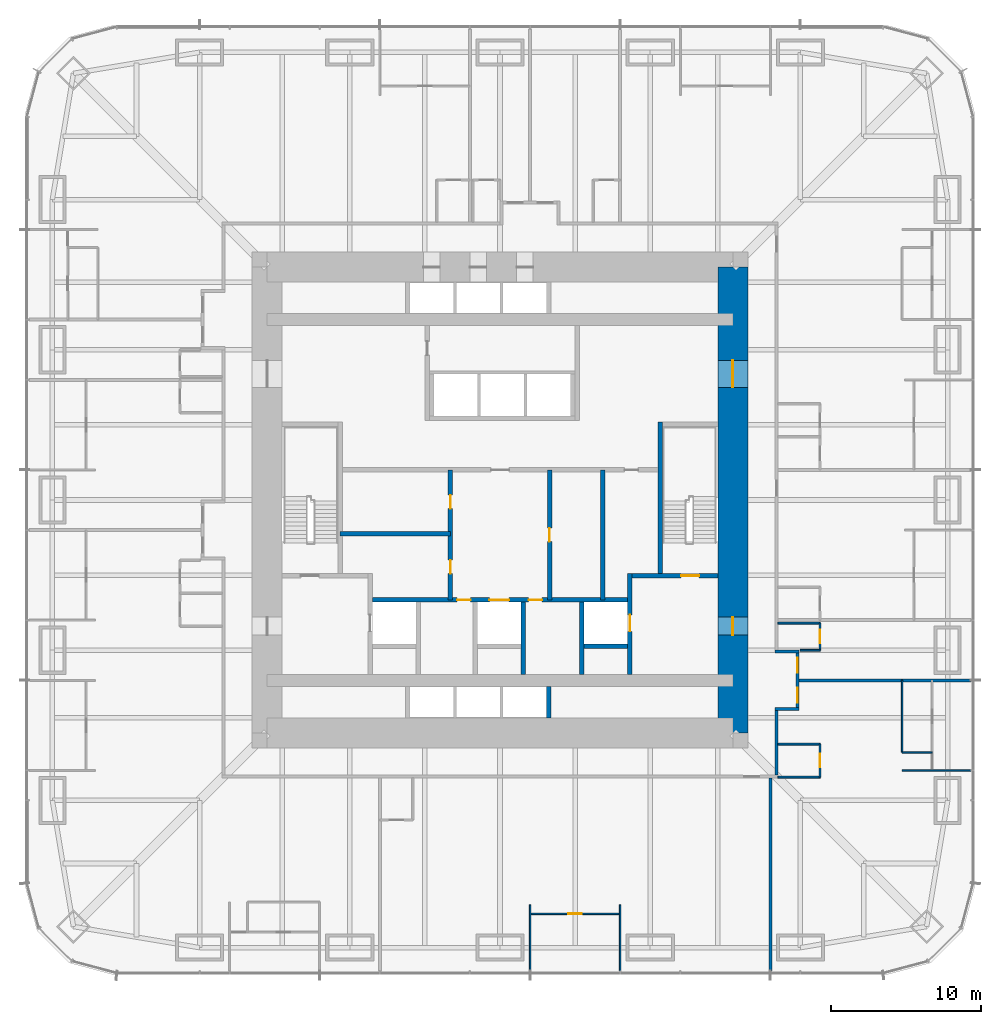
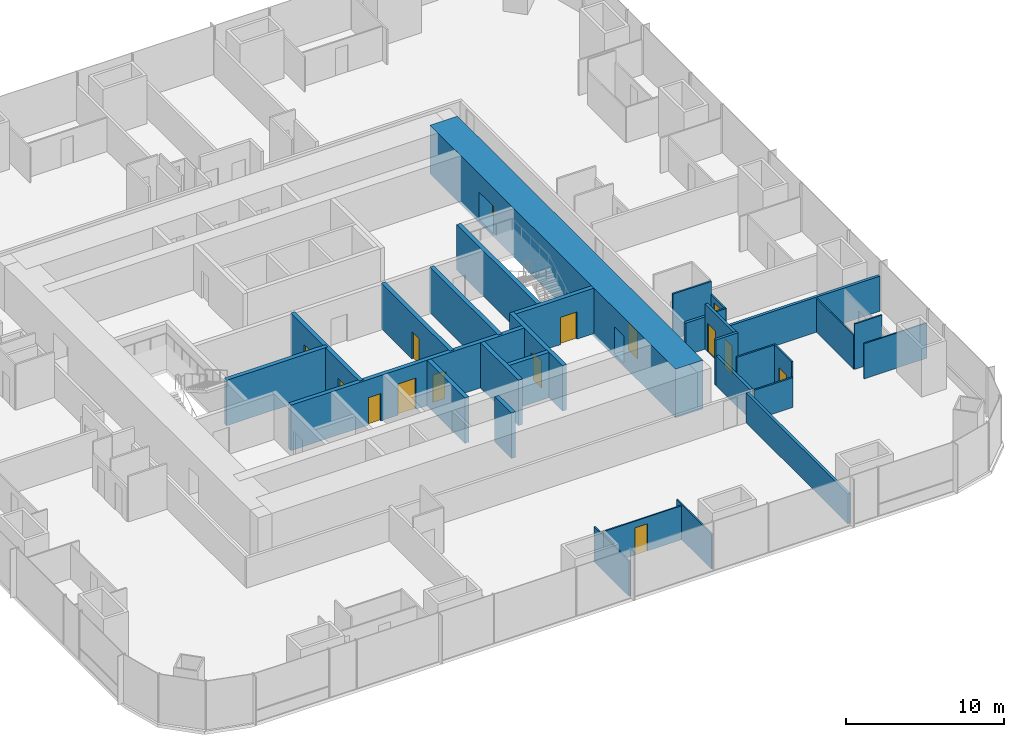
# One storey, part 13 of 17: 31 walls, 15 doors, 15 openings.
"""IFC4 building model written with IfcOpenShell, lengths in metres."""

from ifc_helpers import new_model, si_unit, direction, frame, frame_2d, origin, place, context, subcontext, project, spatial, rectangle, extrude, material, layer, layer_set, type_object, element, fill, save


model = new_model("IFC4")

# Units and contexts
model_context = context("Model", 3, precision=1e-05, world=origin(), true_north=direction((0.0, 1.0)))
body_context = subcontext(model_context, "Body", "Model", "MODEL_VIEW")
ifc_project = project(units=[si_unit("LENGTHUNIT", "METRE"), si_unit("AREAUNIT", "SQUARE_METRE"), si_unit("VOLUMEUNIT", "CUBIC_METRE"), si_unit("PLANEANGLEUNIT", "RADIAN"), si_unit("MASSUNIT", "GRAM", prefix="KILO")], contexts=[model_context])

# Site, building, storey
site_placement = place(None, origin())
site = spatial("IfcSite", under=ifc_project, at=site_placement, CompositionType="ELEMENT")
building_placement = place(site_placement, origin())
building = spatial("IfcBuilding", under=site, at=building_placement, Name="Khuree Lantern Residences", CompositionType="ELEMENT")
storey_placement = place(building_placement, frame((0.0, 0.0, 51.0)))
storey = spatial("IfcBuildingStorey", under=building, at=storey_placement, Name="L12", CompositionType="ELEMENT", Elevation=51.0)

# Wall, opening, door
ifc_material_1 = material(Name="Moisture-resistant gypsum board on steel studs", Category="steel")
ifc_layer_1 = layer(ifc_material_1, 0.125)
ifc_layer_set_1 = layer_set([ifc_layer_1], Name="BATHROOM WALL BTW125")
wall_type_1 = type_object("IfcWallType", Name="BATHROOM WALL BTW125", PredefinedType="PARTITIONING", material=ifc_layer_set_1)
wall_1_placement = place(storey_placement, frame((21.300048828125, -18.449951171875, 0.0), z_axis=(0.0, 0.0, 1.0), x_axis=(0.0, 1.0, 0.0)))
wall_1 = element("IfcWall", 1, at=wall_1_placement, inside=storey, type_object=wall_type_1, Name="L12 BATHROOM WALL 10", PredefinedType="PARTITIONING", context=body_context, shape_type="SweptSolid", body=[
    extrude(rectangle(XDim=2.199951171875, YDim=0.125, at=frame_2d((1.10009765625, 0.0))), origin(), (0.0, 0.0, 1.0), 3.5),
])
opening_1_placement = place(wall_1_placement, frame((0.64990234375, 0.0, 0.0)))
opening_1 = element("IfcOpeningElement", 2, at=opening_1_placement, cuts=wall_1, Name="Opening 12-057", PredefinedType="OPENING", context=body_context, shape_type="SweptSolid", body=[
    extrude(rectangle(XDim=0.89990234375, YDim=2.10009765625, at=frame_2d((0.449951171875, 1.050048828125))), frame((0.0, 0.072509765625, 0.0), z_axis=(0.0, -1.0, 0.0), x_axis=(1.0, 0.0, 0.0)), (0.0, 0.0, 1.0), 0.14501953125),
])
ifc_material_2 = material(Name="Timber door leaf in hardwood frame", Category="wood")
door_type_1 = type_object("IfcDoorType", Name="BATHROOM DOOR 900X2100", OperationType="SINGLE_SWING_LEFT", PredefinedType="DOOR", material=ifc_material_2)
door_1_placement = place(opening_1_placement, origin())
door_1 = element("IfcDoor", 3, at=door_1_placement, inside=storey, type_object=door_type_1, Name="Bathroom door 12-057", OperationType="SINGLE_SWING_LEFT", OverallHeight=2.10009765625, OverallWidth=0.89990234375, PredefinedType="DOOR", context=body_context, shape_type="SweptSolid", body=[
    extrude(rectangle(XDim=0.89990234375, YDim=2.10009765625, at=frame_2d((0.449951171875, 1.050048828125))), frame((0.0, 0.02490234375, 0.0), z_axis=(0.0, -1.0, 0.0), x_axis=(1.0, 0.0, 0.0)), (0.0, 0.0, 1.0), 0.050048828125),
])
fill(opening_1, door_1)

# Walls
wall_2_placement = place(storey_placement, frame((18.5, -18.449951171875, 0.0), z_axis=(0.0, 0.0, 1.0), x_axis=(1.0, 0.0, 0.0)))
element("IfcWall", 4, at=wall_2_placement, inside=storey, type_object=wall_type_1, Name="L12 BATHROOM WALL 10", PredefinedType="PARTITIONING", context=body_context, shape_type="SweptSolid", body=[
    extrude(rectangle(XDim=2.800048828125, YDim=0.125, at=frame_2d((1.39990234375, 0.0))), origin(), (0.0, 0.0, 1.0), 2.300048828125),
])
wall_3_placement = place(storey_placement, frame((18.5, -16.25, 0.0), z_axis=(0.0, 0.0, 1.0), x_axis=(1.0, 0.0, 0.0)))
element("IfcWall", 5, at=wall_3_placement, inside=storey, type_object=wall_type_1, Name="L12 BATHROOM WALL 10", PredefinedType="PARTITIONING", context=body_context, shape_type="SweptSolid", body=[
    extrude(rectangle(XDim=2.800048828125, YDim=0.125, at=frame_2d((1.39990234375, 0.0))), origin(), (0.0, 0.0, 1.0), 3.5),
])

# Wall, opening, door
wall_4_placement = place(storey_placement, frame((21.300048828125, -10.0, 0.0), z_axis=(0.0, 0.0, 1.0), x_axis=(0.0, 1.0, 0.0)))
wall_4 = element("IfcWall", 6, at=wall_4_placement, inside=storey, type_object=wall_type_1, Name="L12 BATHROOM WALL 11", PredefinedType="PARTITIONING", context=body_context, shape_type="SweptSolid", body=[
    extrude(rectangle(XDim=1.800048828125, YDim=0.125, at=frame_2d((0.89990234375, 0.0))), origin(), (0.0, 0.0, 1.0), 2.491943359375),
])
opening_2_placement = place(wall_4_placement, frame((0.449951171875, 0.0, 0.0)))
opening_2 = element("IfcOpeningElement", 7, at=opening_2_placement, cuts=wall_4, Name="Opening 12-059", PredefinedType="OPENING", context=body_context, shape_type="SweptSolid", body=[
    extrude(rectangle(XDim=0.89990234375, YDim=2.10009765625, at=frame_2d((0.449951171875, 1.050048828125))), frame((0.0, 0.072509765625, 0.0), z_axis=(0.0, -1.0, 0.0), x_axis=(1.0, 0.0, 0.0)), (0.0, 0.0, 1.0), 0.14501953125),
])
door_2_placement = place(opening_2_placement, origin())
door_2 = element("IfcDoor", 8, at=door_2_placement, inside=storey, type_object=door_type_1, Name="Bathroom door 12-059", OperationType="SINGLE_SWING_LEFT", OverallHeight=2.10009765625, OverallWidth=0.89990234375, PredefinedType="DOOR", context=body_context, shape_type="SweptSolid", body=[
    extrude(rectangle(XDim=0.89990234375, YDim=2.10009765625, at=frame_2d((0.449951171875, 1.050048828125))), frame((0.0, 0.02490234375, 0.0), z_axis=(0.0, -1.0, 0.0), x_axis=(1.0, 0.0, 0.0)), (0.0, 0.0, 1.0), 0.050048828125),
])
fill(opening_2, door_2)

# Walls
wall_5_placement = place(storey_placement, frame((19.969970703125, -10.0, 0.0), z_axis=(0.0, 0.0, 1.0), x_axis=(1.0, 0.0, 0.0)))
element("IfcWall", 9, at=wall_5_placement, inside=storey, type_object=wall_type_1, Name="L12 BATHROOM WALL 11", PredefinedType="PARTITIONING", context=body_context, shape_type="SweptSolid", body=[
    extrude(rectangle(XDim=1.330078125, YDim=0.125, at=frame_2d((0.6650390625, 0.0))), origin(), (0.0, 0.0, 1.0), 2.491943359375),
])
wall_6_placement = place(storey_placement, frame((18.5, -8.199951171875, 0.0), z_axis=(0.0, 0.0, 1.0), x_axis=(1.0, 0.0, 0.0)))
element("IfcWall", 10, at=wall_6_placement, inside=storey, type_object=wall_type_1, Name="L12 BATHROOM WALL 11", PredefinedType="PARTITIONING", context=body_context, shape_type="SweptSolid", body=[
    extrude(rectangle(XDim=2.800048828125, YDim=0.125, at=frame_2d((1.39990234375, 0.0))), origin(), (0.0, 0.0, 1.0), 3.5),
])

# Wall, opening, door
ifc_material_3 = material(Name="Dense concrete blockwork", Category="masonry")
ifc_layer_2 = layer(ifc_material_3, 0.300048828125)
ifc_layer_set_2 = layer_set([ifc_layer_2], Name="CORE PARTITION WALL CPW300 EI 120")
wall_type_2 = type_object("IfcWallType", Name="CORE PARTITION WALL CPW300 EI 120", PredefinedType="PARTITIONING", material=ifc_layer_set_2)
wall_7_placement = place(storey_placement, frame((8.64990234375, -11.60009765625, 0.0), z_axis=(0.0, 0.0, 1.0), x_axis=(0.0, 1.0, 0.0)))
wall_7 = element("IfcWall", 11, at=wall_7_placement, inside=storey, type_object=wall_type_2, Name="L12 CORE WALL FL2E", PredefinedType="PARTITIONING", context=body_context, shape_type="SweptSolid", body=[
    extrude(rectangle(XDim=6.7001953125, YDim=0.300048828125, at=frame_2d((3.35009765625, 0.0))), origin(), (0.0, 0.0, 1.0), 3.5),
])
opening_3_placement = place(wall_7_placement, frame((2.85009765625, 0.0, 0.0)))
opening_3 = element("IfcOpeningElement", 12, at=opening_3_placement, cuts=wall_7, Name="Opening 12-008", PredefinedType="OPENING", context=body_context, shape_type="SweptSolid", body=[
    extrude(rectangle(XDim=1.10009765625, YDim=2.10009765625, at=frame_2d((0.550048828125, 1.050048828125))), frame((0.0, 0.16015625, 0.0), z_axis=(0.0, -1.0, 0.0), x_axis=(1.0, 0.0, 0.0)), (0.0, 0.0, 1.0), 0.320068359375),
])
ifc_material_4 = material(Name="Stainless steel lift landing door", Category="steel")
door_type_2 = type_object("IfcDoorType", Name="LIFT LANDING DOOR 1100X2100 E 120", OperationType="DOUBLE_DOOR_SLIDING", PredefinedType="DOOR", material=ifc_material_4)
door_3_placement = place(opening_3_placement, origin())
door_3 = element("IfcDoor", 13, at=door_3_placement, inside=storey, type_object=door_type_2, Name="Landing door FL2 12-008", OperationType="DOUBLE_DOOR_SLIDING", OverallHeight=2.10009765625, OverallWidth=1.10009765625, PredefinedType="DOOR", context=body_context, shape_type="SweptSolid", body=[
    extrude(rectangle(XDim=1.10009765625, YDim=2.10009765625, at=frame_2d((0.550048828125, 1.050048828125))), frame((0.0, 0.02490234375, 0.0), z_axis=(0.0, -1.0, 0.0), x_axis=(1.0, 0.0, 0.0)), (0.0, 0.0, 1.0), 0.050048828125),
])
fill(opening_3, door_3)

# Wall, openings, doors
wall_8_placement = place(storey_placement, frame((-8.5, -6.64990234375, 0.0), z_axis=(0.0, 0.0, 1.0), x_axis=(1.0, 0.0, 0.0)))
wall_8 = element("IfcWall", 14, at=wall_8_placement, inside=storey, type_object=wall_type_2, Name="L12 CORE WALL FLROW", PredefinedType="PARTITIONING", context=body_context, shape_type="SweptSolid", body=[
    extrude(rectangle(XDim=17.0, YDim=0.300048828125, at=frame_2d((8.5, 0.0))), origin(), (0.0, 0.0, 1.0), 3.5),
])
opening_4_placement = place(wall_8_placement, frame((7.800048828125, 0.0, 0.0)))
opening_4 = element("IfcOpeningElement", 15, at=opening_4_placement, cuts=wall_8, Name="Opening 12-012", PredefinedType="OPENING", context=body_context, shape_type="SweptSolid", body=[
    extrude(rectangle(XDim=1.300048828125, YDim=2.39990234375, at=frame_2d((0.64990234375, 1.199951171875))), frame((0.0, 0.16015625, 0.0), z_axis=(0.0, -1.0, 0.0), x_axis=(1.0, 0.0, 0.0)), (0.0, 0.0, 1.0), 0.320068359375),
])
opening_5_placement = place(wall_8_placement, frame((5.64990234375, 0.0, 0.0)))
opening_5 = element("IfcOpeningElement", 16, at=opening_5_placement, cuts=wall_8, Name="Opening 12-014", PredefinedType="OPENING", context=body_context, shape_type="SweptSolid", body=[
    extrude(rectangle(XDim=0.89990234375, YDim=2.10009765625, at=frame_2d((0.449951171875, 1.050048828125))), frame((0.0, 0.16015625, 0.0), z_axis=(0.0, -1.0, 0.0), x_axis=(1.0, 0.0, 0.0)), (0.0, 0.0, 1.0), 0.320068359375),
])
opening_6_placement = place(wall_8_placement, frame((10.39990234375, 0.0, 0.0)))
opening_6 = element("IfcOpeningElement", 17, at=opening_6_placement, cuts=wall_8, Name="Opening 12-015", PredefinedType="OPENING", context=body_context, shape_type="SweptSolid", body=[
    extrude(rectangle(XDim=0.89990234375, YDim=2.10009765625, at=frame_2d((0.449951171875, 1.050048828125))), frame((0.0, 0.16015625, 0.0), z_axis=(0.0, -1.0, 0.0), x_axis=(1.0, 0.0, 0.0)), (0.0, 0.0, 1.0), 0.320068359375),
])
ifc_material_5 = material(Name="Steel door leaf in steel frame", Category="steel")
door_type_3 = type_object("IfcDoorType", Name="DOOR 900X2100 EI 60", OperationType="SINGLE_SWING_LEFT", PredefinedType="DOOR", material=ifc_material_5)
door_4_placement = place(opening_5_placement, origin())
door_4 = element("IfcDoor", 18, at=door_4_placement, inside=storey, type_object=door_type_3, Name="Refuse chute room door 12-014", OperationType="SINGLE_SWING_LEFT", OverallHeight=2.10009765625, OverallWidth=0.89990234375, PredefinedType="DOOR", context=body_context, shape_type="SweptSolid", body=[
    extrude(rectangle(XDim=0.89990234375, YDim=2.10009765625, at=frame_2d((0.449951171875, 1.050048828125))), frame((0.0, 0.02490234375, 0.0), z_axis=(0.0, -1.0, 0.0), x_axis=(1.0, 0.0, 0.0)), (0.0, 0.0, 1.0), 0.050048828125),
])
fill(opening_5, door_4)
door_type_4 = type_object("IfcDoorType", Name="DOOR 900X2100 EI 60 RIGHT HAND", OperationType="SINGLE_SWING_RIGHT", PredefinedType="DOOR", material=ifc_material_5)
door_5_placement = place(opening_6_placement, origin())
door_5 = element("IfcDoor", 19, at=door_5_placement, inside=storey, type_object=door_type_4, Name="Electrical and plumbing riser door 12-015", OperationType="SINGLE_SWING_RIGHT", OverallHeight=2.10009765625, OverallWidth=0.89990234375, PredefinedType="DOOR", context=body_context, shape_type="SweptSolid", body=[
    extrude(rectangle(XDim=0.89990234375, YDim=2.10009765625, at=frame_2d((0.449951171875, 1.050048828125))), frame((0.0, 0.02490234375, 0.0), z_axis=(0.0, -1.0, 0.0), x_axis=(1.0, 0.0, 0.0)), (0.0, 0.0, 1.0), 0.050048828125),
])
fill(opening_6, door_5)
door_type_5 = type_object("IfcDoorType", Name="LIFT LANDING DOOR 1300X2400 E 60", OperationType="DOUBLE_DOOR_SLIDING", PredefinedType="DOOR", material=ifc_material_4)
door_6_placement = place(opening_4_placement, origin())
door_6 = element("IfcDoor", 20, at=door_6_placement, inside=storey, type_object=door_type_5, Name="Landing door SL1 12-012", OperationType="DOUBLE_DOOR_SLIDING", OverallHeight=2.39990234375, OverallWidth=1.300048828125, PredefinedType="DOOR", context=body_context, shape_type="SweptSolid", body=[
    extrude(rectangle(XDim=1.300048828125, YDim=2.39990234375, at=frame_2d((0.64990234375, 1.199951171875))), frame((0.0, 0.02490234375, 0.0), z_axis=(0.0, -1.0, 0.0), x_axis=(1.0, 0.0, 0.0)), (0.0, 0.0, 1.0), 0.050048828125),
])
fill(opening_4, door_6)

# Walls
for number, where, z_axis, x_axis, name in (
    (21, (1.550048828125, -11.60009765625, 0.0), (0.0, 0.0, 1.0), (0.0, 1.0, 0.0), "L12 CORE WALL SL1E"),
    (22, (5.449951171875, -11.60009765625, 0.0), (0.0, 0.0, 1.0), (0.0, 1.0, 0.0), "L12 CORE WALL FL2W"),
):
    element("IfcWall", number, at=place(storey_placement, frame(where, z_axis=z_axis, x_axis=x_axis)), inside=storey, type_object=wall_type_2, Name=name, PredefinedType="PARTITIONING", context=body_context, shape_type="SweptSolid", body=[
        extrude(rectangle(XDim=4.800048828125, YDim=0.300048828125, at=frame_2d((2.39990234375, 0.0))), origin(), (0.0, 0.0, 1.0), 3.5),
    ])
wall_9_placement = place(storey_placement, frame((5.60009765625, -9.75, 0.0), z_axis=(0.0, 0.0, 1.0), x_axis=(1.0, 0.0, 0.0)))
element("IfcWall", 23, at=wall_9_placement, inside=storey, type_object=wall_type_2, Name="L12 CORE WALL FL2S", PredefinedType="PARTITIONING", context=body_context, shape_type="SweptSolid", body=[
    extrude(rectangle(XDim=2.89990234375, YDim=0.300048828125, at=frame_2d((1.449951171875, 0.0))), origin(), (0.0, 0.0, 1.0), 3.5),
])
wall_10_placement = place(storey_placement, frame((3.25, -14.5, 0.0), z_axis=(0.0, 0.0, 1.0), x_axis=(0.0, 1.0, 0.0)))
element("IfcWall", 24, at=wall_10_placement, inside=storey, type_object=wall_type_2, Name="L12 CORE WALL PME", PredefinedType="PARTITIONING", context=body_context, shape_type="SweptSolid", body=[
    extrude(rectangle(XDim=2.10009765625, YDim=0.300048828125, at=frame_2d((1.050048828125, 0.0))), origin(), (0.0, 0.0, 1.0), 3.5),
])

# Wall, openings, doors
wall_11_placement = place(storey_placement, frame((-3.300048828125, -6.64990234375, 0.0), z_axis=(0.0, 0.0, 1.0), x_axis=(0.0, 1.0, 0.0)))
wall_11 = element("IfcWall", 25, at=wall_11_placement, inside=storey, type_object=wall_type_2, Name="L12 CORE WALL SVW", PredefinedType="PARTITIONING", context=body_context, shape_type="SweptSolid", body=[
    extrude(rectangle(XDim=8.64990234375, YDim=0.300048828125, at=frame_2d((4.324951171875, 0.0))), origin(), (0.0, 0.0, 1.0), 3.5),
])
opening_7_placement = place(wall_11_placement, frame((1.75, 0.0, 0.0)))
opening_7 = element("IfcOpeningElement", 26, at=opening_7_placement, cuts=wall_11, Name="Opening 12-016", PredefinedType="OPENING", context=body_context, shape_type="SweptSolid", body=[
    extrude(rectangle(XDim=0.89990234375, YDim=2.10009765625, at=frame_2d((0.449951171875, 1.050048828125))), frame((0.0, 0.16015625, 0.0), z_axis=(0.0, -1.0, 0.0), x_axis=(1.0, 0.0, 0.0)), (0.0, 0.0, 1.0), 0.320068359375),
])
opening_8_placement = place(wall_11_placement, frame((6.074951171875, 0.0, 0.0)))
opening_8 = element("IfcOpeningElement", 27, at=opening_8_placement, cuts=wall_11, Name="Opening 12-017", PredefinedType="OPENING", context=body_context, shape_type="SweptSolid", body=[
    extrude(rectangle(XDim=0.89990234375, YDim=2.10009765625, at=frame_2d((0.449951171875, 1.050048828125))), frame((0.0, 0.16015625, 0.0), z_axis=(0.0, -1.0, 0.0), x_axis=(1.0, 0.0, 0.0)), (0.0, 0.0, 1.0), 0.320068359375),
])
door_type_6 = type_object("IfcDoorType", Name="DOOR 900X2100", OperationType="SINGLE_SWING_LEFT", PredefinedType="DOOR", material=ifc_material_2)
door_7_placement = place(opening_7_placement, origin())
door_7 = element("IfcDoor", 28, at=door_7_placement, inside=storey, type_object=door_type_6, Name="Residents' store door 12-016", OperationType="SINGLE_SWING_LEFT", OverallHeight=2.10009765625, OverallWidth=0.89990234375, PredefinedType="DOOR", context=body_context, shape_type="SweptSolid", body=[
    extrude(rectangle(XDim=0.89990234375, YDim=2.10009765625, at=frame_2d((0.449951171875, 1.050048828125))), frame((0.0, 0.02490234375, 0.0), z_axis=(0.0, -1.0, 0.0), x_axis=(1.0, 0.0, 0.0)), (0.0, 0.0, 1.0), 0.050048828125),
])
fill(opening_7, door_7)
door_8_placement = place(opening_8_placement, origin())
door_8 = element("IfcDoor", 29, at=door_8_placement, inside=storey, type_object=door_type_6, Name="Residents' store door 12-017", OperationType="SINGLE_SWING_LEFT", OverallHeight=2.10009765625, OverallWidth=0.89990234375, PredefinedType="DOOR", context=body_context, shape_type="SweptSolid", body=[
    extrude(rectangle(XDim=0.89990234375, YDim=2.10009765625, at=frame_2d((0.449951171875, 1.050048828125))), frame((0.0, 0.02490234375, 0.0), z_axis=(0.0, -1.0, 0.0), x_axis=(1.0, 0.0, 0.0)), (0.0, 0.0, 1.0), 0.050048828125),
])
fill(opening_8, door_8)

# Wall, opening, door
wall_12_placement = place(storey_placement, frame((3.300048828125, -6.64990234375, 0.0), z_axis=(0.0, 0.0, 1.0), x_axis=(0.0, 1.0, 0.0)))
wall_12 = element("IfcWall", 30, at=wall_12_placement, inside=storey, type_object=wall_type_2, Name="L12 CORE WALL SVE", PredefinedType="PARTITIONING", context=body_context, shape_type="SweptSolid", body=[
    extrude(rectangle(XDim=8.64990234375, YDim=0.300048828125, at=frame_2d((4.324951171875, 0.0))), origin(), (0.0, 0.0, 1.0), 3.5),
])
opening_9_placement = place(wall_12_placement, frame((3.875, 0.0, 0.0)))
opening_9 = element("IfcOpeningElement", 31, at=opening_9_placement, cuts=wall_12, Name="Opening 12-018", PredefinedType="OPENING", context=body_context, shape_type="SweptSolid", body=[
    extrude(rectangle(XDim=0.89990234375, YDim=2.10009765625, at=frame_2d((0.449951171875, 1.050048828125))), frame((0.0, 0.16015625, 0.0), z_axis=(0.0, -1.0, 0.0), x_axis=(1.0, 0.0, 0.0)), (0.0, 0.0, 1.0), 0.320068359375),
])
door_9_placement = place(opening_9_placement, origin())
door_9 = element("IfcDoor", 32, at=door_9_placement, inside=storey, type_object=door_type_6, Name="Residents' store door 12-018", OperationType="SINGLE_SWING_LEFT", OverallHeight=2.10009765625, OverallWidth=0.89990234375, PredefinedType="DOOR", context=body_context, shape_type="SweptSolid", body=[
    extrude(rectangle(XDim=0.89990234375, YDim=2.10009765625, at=frame_2d((0.449951171875, 1.050048828125))), frame((0.0, 0.02490234375, 0.0), z_axis=(0.0, -1.0, 0.0), x_axis=(1.0, 0.0, 0.0)), (0.0, 0.0, 1.0), 0.050048828125),
])
fill(opening_9, door_9)

# Walls
wall_13_placement = place(storey_placement, frame((-10.64990234375, -2.25, 0.0), z_axis=(0.0, 0.0, 1.0), x_axis=(1.0, 0.0, 0.0)))
element("IfcWall", 33, at=wall_13_placement, inside=storey, type_object=wall_type_2, Name="L12 CORE WALL WX", PredefinedType="PARTITIONING", context=body_context, shape_type="SweptSolid", body=[
    extrude(rectangle(XDim=7.349853515625, YDim=0.300048828125, at=frame_2d((3.6748046875, 0.0))), origin(), (0.0, 0.0, 1.0), 3.5),
])
wall_14_placement = place(storey_placement, frame((6.833984375, -6.64990234375, 0.0), z_axis=(0.0, 0.0, 1.0), x_axis=(0.0, 1.0, 0.0)))
element("IfcWall", 34, at=wall_14_placement, inside=storey, type_object=wall_type_2, Name="L12 CORE WALL EV", PredefinedType="PARTITIONING", context=body_context, shape_type="SweptSolid", body=[
    extrude(rectangle(XDim=8.64990234375, YDim=0.300048828125, at=frame_2d((4.324951171875, 0.0))), origin(), (0.0, 0.0, 1.0), 3.5),
])
ifc_material_6 = material(Name="Gypsum board on steel studs", Category="steel")
ifc_layer_3 = layer(ifc_material_6, 0.199951171875)
ifc_layer_set_3 = layer_set([ifc_layer_3], Name="CORRIDOR WALL CRW200 EI 60")
wall_type_3 = type_object("IfcWallType", Name="CORRIDOR WALL CRW200 EI 60", PredefinedType="PARTITIONING", material=ifc_layer_set_3)
wall_15_placement = place(storey_placement, frame((18.39990234375, -18.300048828125, 0.0), z_axis=(0.0, 0.0, 1.0), x_axis=(0.0, 1.0, 0.0)))
element("IfcWall", 35, at=wall_15_placement, inside=storey, type_object=wall_type_3, Name="L12 CORRIDOR WALL EAST 1", PredefinedType="PARTITIONING", context=body_context, shape_type="SweptSolid", body=[
    extrude(rectangle(XDim=4.300048828125, YDim=0.199951171875, at=frame_2d((2.14990234375, 0.0))), origin(), (0.0, 0.0, 1.0), 2.300048828125),
])
wall_16_placement = place(storey_placement, frame((18.300048828125, -13.89990234375, 0.0), z_axis=(0.0, 0.0, 1.0), x_axis=(1.0, 0.0, 0.0)))
element("IfcWall", 36, at=wall_16_placement, inside=storey, type_object=wall_type_3, Name="L12 CORRIDOR ALCOVE WALL EAST", PredefinedType="PARTITIONING", context=body_context, shape_type="SweptSolid", body=[
    extrude(rectangle(XDim=1.599853515625, YDim=0.199951171875, at=frame_2d((0.7998046875, 0.0))), origin(), (0.0, 0.0, 1.0), 3.5),
])
wall_17_placement = place(storey_placement, frame((18.300048828125, -10.10009765625, 0.0), z_axis=(0.0, 0.0, 1.0), x_axis=(1.0, 0.0, 0.0)))
element("IfcWall", 37, at=wall_17_placement, inside=storey, type_object=wall_type_3, Name="L12 CORRIDOR ALCOVE WALL EAST", PredefinedType="PARTITIONING", context=body_context, shape_type="SweptSolid", body=[
    extrude(rectangle(XDim=1.599853515625, YDim=0.199951171875, at=frame_2d((0.7998046875, 0.0))), origin(), (0.0, 0.0, 1.0), 2.491943359375),
])

# Wall, openings, doors
wall_18_placement = place(storey_placement, frame((19.800048828125, -13.800048828125, 0.0), z_axis=(0.0, 0.0, 1.0), x_axis=(0.0, 1.0, 0.0)))
wall_18 = element("IfcWall", 38, at=wall_18_placement, inside=storey, type_object=wall_type_3, Name="L12 CORRIDOR ALCOVE WALL EAST", PredefinedType="PARTITIONING", context=body_context, shape_type="SweptSolid", body=[
    extrude(rectangle(XDim=3.60009765625, YDim=0.199951171875, at=frame_2d((1.800048828125, 0.0))), origin(), (0.0, 0.0, 1.0), 3.5),
])
opening_10_placement = place(wall_18_placement, frame((0.300048828125, 0.0, 0.0)))
opening_10 = element("IfcOpeningElement", 39, at=opening_10_placement, cuts=wall_18, Name="Opening 12-058", PredefinedType="OPENING", context=body_context, shape_type="SweptSolid", body=[
    extrude(rectangle(XDim=1.0, YDim=2.199951171875, at=frame_2d((0.5, 1.10009765625))), frame((0.0, 0.10986328125, 0.0), z_axis=(0.0, -1.0, 0.0), x_axis=(1.0, 0.0, 0.0)), (0.0, 0.0, 1.0), 0.219970703125),
])
opening_11_placement = place(wall_18_placement, frame((2.300048828125, 0.0, 0.0)))
opening_11 = element("IfcOpeningElement", 40, at=opening_11_placement, cuts=wall_18, Name="Opening 12-060", PredefinedType="OPENING", context=body_context, shape_type="SweptSolid", body=[
    extrude(rectangle(XDim=1.0, YDim=2.199951171875, at=frame_2d((0.5, 1.10009765625))), frame((0.0, 0.10986328125, 0.0), z_axis=(0.0, -1.0, 0.0), x_axis=(1.0, 0.0, 0.0)), (0.0, 0.0, 1.0), 0.219970703125),
])
door_type_7 = type_object("IfcDoorType", Name="APARTMENT ENTRANCE DOOR 1000X2200 EI 30S", OperationType="SINGLE_SWING_LEFT", PredefinedType="DOOR", material=ifc_material_2)
door_10_placement = place(opening_10_placement, origin())
door_10 = element("IfcDoor", 41, at=door_10_placement, inside=storey, type_object=door_type_7, Name="Apartment 10 entrance door 12-058", OperationType="SINGLE_SWING_LEFT", OverallHeight=2.199951171875, OverallWidth=1.0, PredefinedType="DOOR", context=body_context, shape_type="SweptSolid", body=[
    extrude(rectangle(XDim=1.0, YDim=2.199951171875, at=frame_2d((0.5, 1.10009765625))), frame((0.0, 0.02490234375, 0.0), z_axis=(0.0, -1.0, 0.0), x_axis=(1.0, 0.0, 0.0)), (0.0, 0.0, 1.0), 0.050048828125),
])
fill(opening_10, door_10)
door_type_8 = type_object("IfcDoorType", Name="APARTMENT ENTRANCE DOOR 1000X2200 EI 30S RIGHT HAND", OperationType="SINGLE_SWING_RIGHT", PredefinedType="DOOR", material=ifc_material_2)
door_11_placement = place(opening_11_placement, origin())
door_11 = element("IfcDoor", 42, at=door_11_placement, inside=storey, type_object=door_type_8, Name="Apartment 11 entrance door 12-060", OperationType="SINGLE_SWING_RIGHT", OverallHeight=2.199951171875, OverallWidth=1.0, PredefinedType="DOOR", context=body_context, shape_type="SweptSolid", body=[
    extrude(rectangle(XDim=1.0, YDim=2.199951171875, at=frame_2d((0.5, 1.10009765625))), frame((0.0, 0.02490234375, 0.0), z_axis=(0.0, -1.0, 0.0), x_axis=(1.0, 0.0, 0.0)), (0.0, 0.0, 1.0), 0.050048828125),
])
fill(opening_11, door_11)

ifc_material_7 = material(Name="Concrete C70/85", Category="concrete")
ifc_layer_4 = layer(ifc_material_7, 2.0)
ifc_layer_set_4 = layer_set([ifc_layer_4], Name="CW2000-C70 CORE WALL C70 2000")
wall_type_4 = type_object("IfcWallType", Name="CW2000-C70 CORE WALL C70 2000", PredefinedType="SHEAR", material=ifc_layer_set_4)
wall_19_placement = place(storey_placement, frame((15.5, -15.5, -0.25), z_axis=(0.0, 0.0, 1.0), x_axis=(0.0, 1.0, 0.0)))
wall_19 = element("IfcWall", 43, at=wall_19_placement, inside=storey, type_object=wall_type_4, Name="Core wall E", PredefinedType="SHEAR", context=body_context, shape_type="SweptSolid", body=[
    extrude(rectangle(XDim=31.0, YDim=2.0, at=frame_2d((15.5, 0.0))), origin(), (0.0, 0.0, 1.0), 3.75),
])
opening_12_placement = place(wall_19_placement, frame((6.5, 0.0, 0.25)))
opening_12 = element("IfcOpeningElement", 44, at=opening_12_placement, cuts=wall_19, Name="Opening 12-005", PredefinedType="OPENING", context=body_context, shape_type="SweptSolid", body=[
    extrude(rectangle(XDim=1.199951171875, YDim=2.10009765625, at=frame_2d((0.60009765625, 1.050048828125))), frame((0.0, 1.010009765625, 0.0), z_axis=(0.0, -1.0, 0.0), x_axis=(1.0, 0.0, 0.0)), (0.0, 0.0, 1.0), 2.02001953125),
])
opening_13_placement = place(wall_19_placement, frame((23.0, 0.0, 0.25)))
opening_13 = element("IfcOpeningElement", 45, at=opening_13_placement, cuts=wall_19, Name="Opening 12-006", PredefinedType="OPENING", context=body_context, shape_type="SweptSolid", body=[
    extrude(rectangle(XDim=1.800048828125, YDim=2.10009765625, at=frame_2d((0.89990234375, 1.050048828125))), frame((0.0, 1.010009765625, 0.0), z_axis=(0.0, -1.0, 0.0), x_axis=(1.0, 0.0, 0.0)), (0.0, 0.0, 1.0), 2.02001953125),
])
door_type_9 = type_object("IfcDoorType", Name="LOBBY DOOR 1200X2100 EI 120", OperationType="SINGLE_SWING_LEFT", PredefinedType="DOOR", material=ifc_material_5)
door_12_placement = place(opening_12_placement, origin())
door_12 = element("IfcDoor", 46, at=door_12_placement, inside=storey, type_object=door_type_9, Name="Firefighting lobby door 12-005", OperationType="SINGLE_SWING_LEFT", OverallHeight=2.10009765625, OverallWidth=1.199951171875, PredefinedType="DOOR", context=body_context, shape_type="SweptSolid", body=[
    extrude(rectangle(XDim=1.199951171875, YDim=2.10009765625, at=frame_2d((0.60009765625, 1.050048828125))), frame((0.0, 0.02490234375, 0.0), z_axis=(0.0, -1.0, 0.0), x_axis=(1.0, 0.0, 0.0)), (0.0, 0.0, 1.0), 0.050048828125),
])
fill(opening_12, door_12)
door_type_10 = type_object("IfcDoorType", Name="LOBBY DOUBLE DOOR 1800X2100 EI 60", OperationType="DOUBLE_DOOR_SINGLE_SWING", PredefinedType="DOOR", material=ifc_material_5)
door_13_placement = place(opening_13_placement, origin())
door_13 = element("IfcDoor", 47, at=door_13_placement, inside=storey, type_object=door_type_10, Name="Lift lobby door 12-006", OperationType="DOUBLE_DOOR_SINGLE_SWING", OverallHeight=2.10009765625, OverallWidth=1.800048828125, PredefinedType="DOOR", context=body_context, shape_type="SweptSolid", body=[
    extrude(rectangle(XDim=1.800048828125, YDim=2.10009765625, at=frame_2d((0.89990234375, 1.050048828125))), frame((0.0, 0.02490234375, 0.0), z_axis=(0.0, -1.0, 0.0), x_axis=(1.0, 0.0, 0.0)), (0.0, 0.0, 1.0), 0.050048828125),
])
fill(opening_13, door_13)

# Walls
ifc_layer_5 = layer(ifc_material_6, 0.199951171875)
ifc_layer_set_5 = layer_set([ifc_layer_5], Name="DEMISING WALL DMW200 EI 90")
wall_type_5 = type_object("IfcWallType", Name="DEMISING WALL DMW200 EI 90", PredefinedType="PARTITIONING", material=ifc_layer_set_5)
wall_20_placement = place(storey_placement, frame((18.0, -18.5, 0.0), z_axis=(0.0, 0.0, 1.0), x_axis=(0.0, -1.0, 0.0)))
element("IfcWall", 48, at=wall_20_placement, inside=storey, type_object=wall_type_5, Name="L12 DEMISING WALL 10", PredefinedType="PARTITIONING", context=body_context, shape_type="SweptSolid", body=[
    extrude(rectangle(XDim=12.85009765625, YDim=0.199951171875, at=frame_2d((6.425048828125, 0.0))), origin(), (0.0, 0.0, 1.0), 2.300048828125),
])
wall_21_placement = place(storey_placement, frame((19.89990234375, -12.0, 0.0), z_axis=(0.0, 0.0, 1.0), x_axis=(1.0, 0.0, 0.0)))
element("IfcWall", 49, at=wall_21_placement, inside=storey, type_object=wall_type_5, Name="L12 DEMISING WALL 11", PredefinedType="PARTITIONING", context=body_context, shape_type="SweptSolid", body=[
    extrude(rectangle(XDim=11.4501953125, YDim=0.199951171875, at=frame_2d((5.72509765625, 0.0))), origin(), (0.0, 0.0, 1.0), 2.7099609375),
])
ifc_layer_6 = layer(ifc_material_6, 0.10009765625)
ifc_layer_set_6 = layer_set([ifc_layer_6], Name="PARTITION PT100")
wall_type_6 = type_object("IfcWallType", Name="PARTITION PT100", PredefinedType="PARTITIONING", material=ifc_layer_set_6)
for number, where, z_axis, x_axis, name in (
    (50, (2.0, -26.949951171875, 0.0), (0.0, 0.0, 1.0), (0.0, -1.0, 0.0), "L12 PARTITION 09"),
    (51, (8.0, -26.949951171875, 0.0), (0.0, 0.0, 1.0), (0.0, -1.0, 0.0), "L12 PARTITION 09"),
):
    element("IfcWall", number, at=place(storey_placement, frame(where, z_axis=z_axis, x_axis=x_axis)), inside=storey, type_object=wall_type_6, Name=name, PredefinedType="PARTITIONING", context=body_context, shape_type="SweptSolid", body=[
        extrude(rectangle(XDim=4.400146484375, YDim=0.10009765625, at=frame_2d((2.2001953125, 0.0))), origin(), (0.0, 0.0, 1.0), 2.7099609375),
    ])
wall_22_placement = place(storey_placement, frame((26.7666015625, -18.0, 0.0), z_axis=(0.0, 0.0, 1.0), x_axis=(1.0, 0.0, 0.0)))
element("IfcWall", 52, at=wall_22_placement, inside=storey, type_object=wall_type_6, Name="L12 PARTITION 10", PredefinedType="PARTITIONING", context=body_context, shape_type="SweptSolid", body=[
    extrude(rectangle(XDim=4.58349609375, YDim=0.10009765625, at=frame_2d((2.291748046875, 0.0))), origin(), (0.0, 0.0, 1.0), 2.7099609375),
])

# Wall, opening, door
wall_23_placement = place(storey_placement, frame((2.0, -27.550048828125, 0.0), z_axis=(0.0, 0.0, 1.0), x_axis=(1.0, 0.0, 0.0)))
wall_23 = element("IfcWall", 53, at=wall_23_placement, inside=storey, type_object=wall_type_6, Name="L12 PARTITION 09", PredefinedType="PARTITIONING", context=body_context, shape_type="SweptSolid", body=[
    extrude(rectangle(XDim=6.0, YDim=0.10009765625, at=frame_2d((3.0, 0.0))), origin(), (0.0, 0.0, 1.0), 2.610107421875),
])
opening_14_placement = place(wall_23_placement, frame((2.550048828125, 0.0, 0.0)))
opening_14 = element("IfcOpeningElement", 54, at=opening_14_placement, cuts=wall_23, Name="Opening 12-052", PredefinedType="OPENING", context=body_context, shape_type="SweptSolid", body=[
    extrude(rectangle(XDim=0.89990234375, YDim=2.10009765625, at=frame_2d((0.449951171875, 1.050048828125))), frame((0.0, 0.06005859375, 0.0), z_axis=(0.0, -1.0, 0.0), x_axis=(1.0, 0.0, 0.0)), (0.0, 0.0, 1.0), 0.1201171875),
])
door_type_11 = type_object("IfcDoorType", Name="BEDROOM DOOR 900X2100", OperationType="SINGLE_SWING_LEFT", PredefinedType="DOOR", material=ifc_material_2)
door_14_placement = place(opening_14_placement, origin())
door_14 = element("IfcDoor", 55, at=door_14_placement, inside=storey, type_object=door_type_11, Name="Bedroom door 12-052", OperationType="SINGLE_SWING_LEFT", OverallHeight=2.10009765625, OverallWidth=0.89990234375, PredefinedType="DOOR", context=body_context, shape_type="SweptSolid", body=[
    extrude(rectangle(XDim=0.89990234375, YDim=2.10009765625, at=frame_2d((0.449951171875, 1.050048828125))), frame((0.0, 0.02490234375, 0.0), z_axis=(0.0, -1.0, 0.0), x_axis=(1.0, 0.0, 0.0)), (0.0, 0.0, 1.0), 0.050048828125),
])
fill(opening_14, door_14)

# Walls
wall_24_placement = place(storey_placement, frame((26.7666015625, -16.800048828125, 0.0), z_axis=(0.0, 0.0, 1.0), x_axis=(1.0, 0.0, 0.0)))
element("IfcWall", 56, at=wall_24_placement, inside=storey, type_object=wall_type_6, Name="L12 PARTITION 10", PredefinedType="PARTITIONING", context=body_context, shape_type="SweptSolid", body=[
    extrude(rectangle(XDim=2.0, YDim=0.10009765625, at=frame_2d((1.0, 0.0))), origin(), (0.0, 0.0, 1.0), 3.5),
])
wall_25_placement = place(storey_placement, frame((26.7666015625, -16.800048828125, 0.0), z_axis=(0.0, 0.0, 1.0), x_axis=(0.0, 1.0, 0.0)))
element("IfcWall", 57, at=wall_25_placement, inside=storey, type_object=wall_type_6, Name="L12 PARTITION 10", PredefinedType="PARTITIONING", context=body_context, shape_type="SweptSolid", body=[
    extrude(rectangle(XDim=4.800048828125, YDim=0.10009765625, at=frame_2d((2.39990234375, 0.0))), origin(), (0.0, 0.0, 1.0), 2.610107421875),
])
ifc_material_8 = material(Name="Concrete C50/60", Category="concrete")
ifc_layer_7 = layer(ifc_material_8, 0.300048828125)
ifc_layer_set_7 = layer_set([ifc_layer_7], Name="STAIR WALL SRW300 C50/60 REI 240")
wall_type_7 = type_object("IfcWallType", Name="STAIR WALL SRW300 C50/60 REI 240", PredefinedType="SOLIDWALL", material=ifc_layer_set_7)
wall_26_placement = place(storey_placement, frame((10.64990234375, -4.89990234375, 0.0), z_axis=(0.0, 0.0, 1.0), x_axis=(0.0, 1.0, 0.0)))
element("IfcWall", 58, at=wall_26_placement, inside=storey, type_object=wall_type_7, Name="L12 STAIR WALL ST2E", PredefinedType="SOLIDWALL", context=body_context, shape_type="SweptSolid", body=[
    extrude(rectangle(XDim=10.099853515625, YDim=0.300048828125, at=frame_2d((5.0498046875, 0.0))), origin(), (0.0, 0.0, 1.0), 3.5),
])

# Wall, opening, door
wall_27_placement = place(storey_placement, frame((14.5, -5.050048828125, 0.0), z_axis=(0.0, 0.0, 1.0), x_axis=(-1.0, 0.0, 0.0)))
wall_27 = element("IfcWall", 59, at=wall_27_placement, inside=storey, type_object=wall_type_7, Name="L12 STAIR WALL ST2S", PredefinedType="SOLIDWALL", context=body_context, shape_type="SweptSolid", body=[
    extrude(rectangle(XDim=5.699951171875, YDim=0.300048828125, at=frame_2d((2.85009765625, 0.0))), origin(), (0.0, 0.0, 1.0), 3.5),
])
opening_15_placement = place(wall_27_placement, frame((1.25, 0.0, 0.0)))
opening_15 = element("IfcOpeningElement", 60, at=opening_15_placement, cuts=wall_27, Name="Opening 12-004", PredefinedType="OPENING", context=body_context, shape_type="SweptSolid", body=[
    extrude(rectangle(XDim=1.199951171875, YDim=2.10009765625, at=frame_2d((0.60009765625, 1.050048828125))), frame((0.0, 0.16015625, 0.0), z_axis=(0.0, -1.0, 0.0), x_axis=(1.0, 0.0, 0.0)), (0.0, 0.0, 1.0), 0.320068359375),
])
door_type_12 = type_object("IfcDoorType", Name="STAIR DOOR 1200X2100 EI 120", OperationType="SINGLE_SWING_LEFT", PredefinedType="DOOR", material=ifc_material_5)
door_15_placement = place(opening_15_placement, origin())
door_15 = element("IfcDoor", 61, at=door_15_placement, inside=storey, type_object=door_type_12, Name="Stair ST2 door 12-004", OperationType="SINGLE_SWING_LEFT", OverallHeight=2.10009765625, OverallWidth=1.199951171875, PredefinedType="DOOR", context=body_context, shape_type="SweptSolid", body=[
    extrude(rectangle(XDim=1.199951171875, YDim=2.10009765625, at=frame_2d((0.60009765625, 1.050048828125))), frame((0.0, 0.02490234375, 0.0), z_axis=(0.0, -1.0, 0.0), x_axis=(1.0, 0.0, 0.0)), (0.0, 0.0, 1.0), 0.050048828125),
])
fill(opening_15, door_15)

save(model, "model.ifc")
